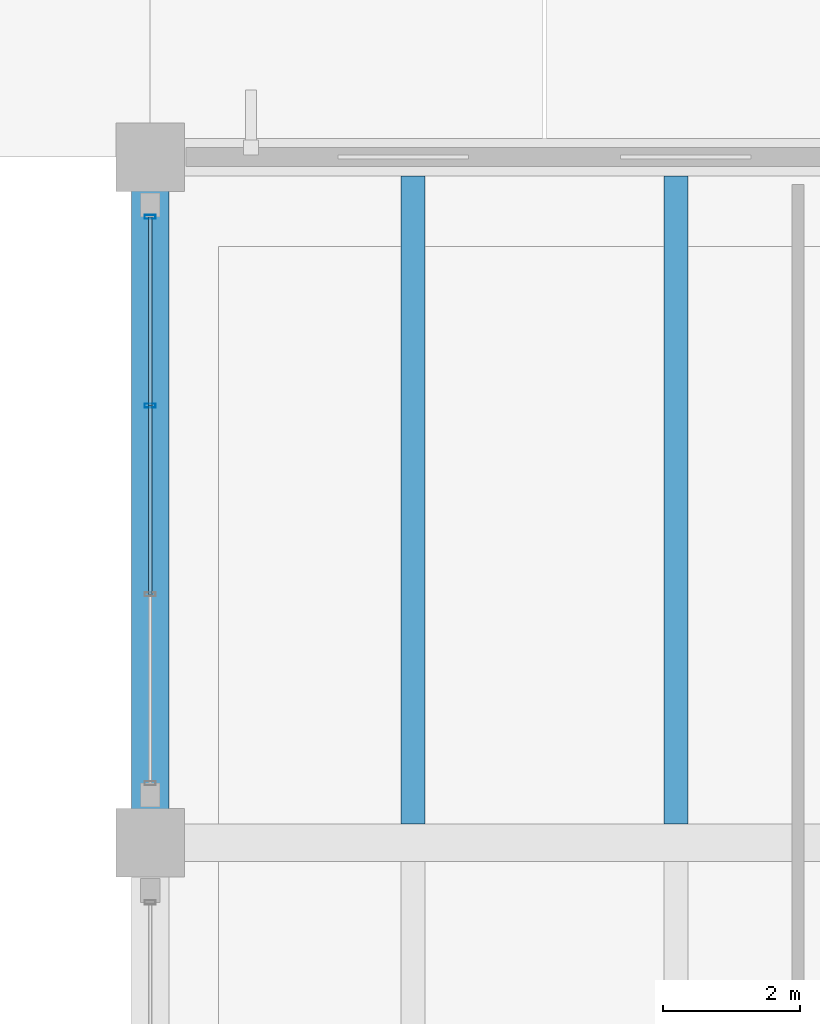
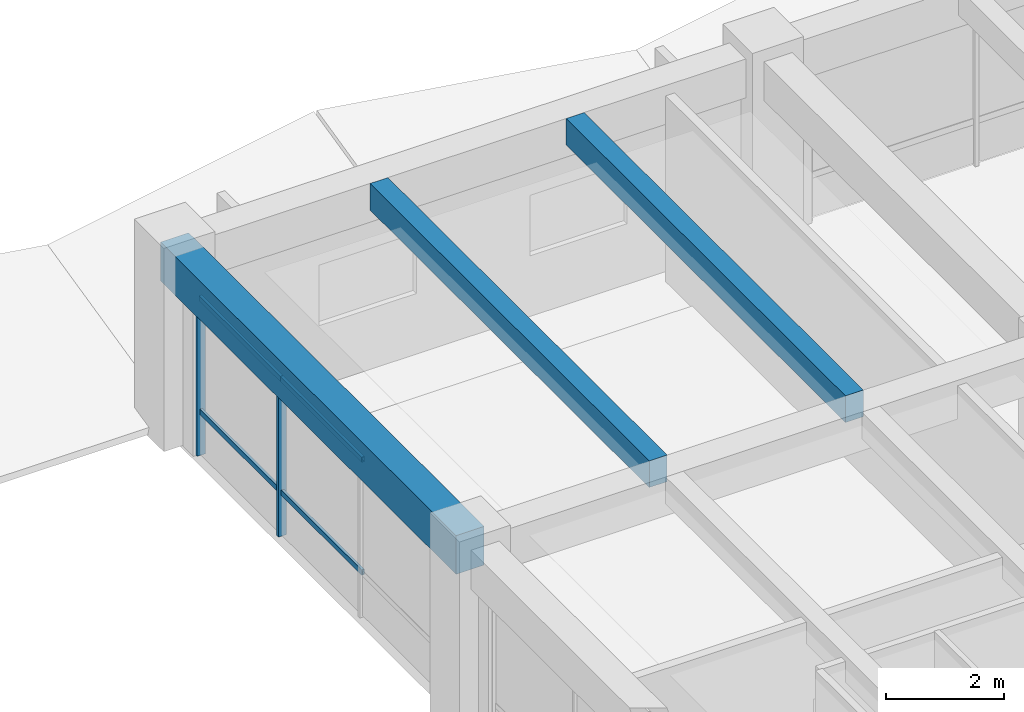
# One storey, part 42 of 98: 6 members, 3 beams, 1 element without a shape of its own.
"""IFC4 building model written with IfcOpenShell, lengths in metres."""

from ifc_helpers import new_model, si_unit, direction, frame, origin, origin_2d, place, context, subcontext, project, spatial, rectangle, hollow_rectangle, extrude, material, material_profile, profile_set, type_object, element, aggregate, save


model = new_model("IFC4")

# Units and contexts
model_context = context("Model", 3, precision=1e-05, world=origin(), true_north=direction((0.0, 1.0)))
body_context = subcontext(model_context, "Body", "Model", "MODEL_VIEW")
ifc_project = project(units=[si_unit("LENGTHUNIT", "METRE"), si_unit("AREAUNIT", "SQUARE_METRE"), si_unit("VOLUMEUNIT", "CUBIC_METRE"), si_unit("PLANEANGLEUNIT", "RADIAN"), si_unit("MASSUNIT", "GRAM", prefix="KILO")], contexts=[model_context])

# Site, building, storey
site_placement = place(None, origin())
site = spatial("IfcSite", under=ifc_project, at=site_placement, CompositionType="ELEMENT")
building_placement = place(site_placement, origin())
building = spatial("IfcBuilding", under=site, at=building_placement, Name="Ologun Quay Terminus", CompositionType="ELEMENT")
storey_placement = place(building_placement, frame((0.0, 0.0, 4.199951171875)))
storey = spatial("IfcBuildingStorey", under=building, at=storey_placement, Name="L01", CompositionType="ELEMENT", Elevation=4.199951171875)

# Curtain wall, members
ifc_material_1 = material(Name="Aluminium 6063-T6", Category="aluminium")
curtain_wall_type = type_object("IfcCurtainWallType", Name="Rain-Garden East Courtyard Curtain Wall L01 9200x3850", PredefinedType="USERDEFINED", material=ifc_material_1)
curtain_wall_placement = place(storey_placement, origin())
curtain_wall = element("IfcCurtainWall", 1, at=curtain_wall_placement, inside=storey, type_object=curtain_wall_type, Name="CW-18 Curtain Wall CW-L01-130", ObjectType="UNITISED CURTAIN WALL", PredefinedType="USERDEFINED")
ifc_material_2 = material(Name="Aluminium 6063-T6", Category="aluminium")
ifc_material_profile_1 = material_profile(ifc_material_2, hollow_rectangle(XDim=0.06005859375, YDim=0.159912109375, WallThickness=0.00390625, at=origin_2d()), Name="ALU 160x60x4")
ifc_profile_set_1 = profile_set([ifc_material_profile_1], Name="Aluminium 6063-T6")
member_type_1 = type_object("IfcMemberType", Name="Courtyard Screen Mullion 160x65", PredefinedType="MULLION", material=ifc_profile_set_1)
member_1_placement = place(storey_placement, frame((115.0, 111.1767578125, 0.0), z_axis=(0.0, 0.0, 1.0), x_axis=(0.0, 1.0, 0.0)))
member_1 = element("IfcMember", 2, at=member_1_placement, type_object=member_type_1, Name="CW-L01-130 Mullion 3", PredefinedType="MULLION", context=body_context, shape_type="SweptSolid", body=[
    extrude(hollow_rectangle(XDim=0.06005859375, YDim=0.159912109375, WallThickness=0.00390625, at=origin_2d()), origin(), (0.0, 0.0, 1.0), 3.929931640625),
])
member_2_placement = place(storey_placement, frame((115.0, 113.929931640625, 0.0), z_axis=(0.0, 0.0, 1.0), x_axis=(0.0, 1.0, 0.0)))
member_2 = element("IfcMember", 3, at=member_2_placement, type_object=member_type_1, Name="CW-L01-130 Mullion 4", PredefinedType="MULLION", context=body_context, shape_type="SweptSolid", body=[
    extrude(hollow_rectangle(XDim=0.06005859375, YDim=0.159912109375, WallThickness=0.00390625, at=origin_2d()), origin(), (0.0, 0.0, 1.0), 3.929931640625),
])
ifc_material_3 = material(Name="Aluminium 6063-T6", Category="aluminium")
ifc_material_profile_2 = material_profile(ifc_material_3, hollow_rectangle(XDim=0.054931640625, YDim=0.110107421875, WallThickness=0.00390625, at=origin_2d()), Name="ALU 110x55x4")
ifc_profile_set_2 = profile_set([ifc_material_profile_2], Name="Aluminium 6063-T6")
member_type_2 = type_object("IfcMemberType", Name="Courtyard Screen Transom 110x55", PredefinedType="USERDEFINED", material=ifc_profile_set_2)
member_3_placement = place(storey_placement, frame((115.0, 108.42333984375, 0.900146484375), z_axis=(0.0, 1.0, 0.0), x_axis=(-1.0, 0.0, 0.0)))
member_3 = element("IfcMember", 4, at=member_3_placement, type_object=member_type_2, Name="CW-L01-130 Transom B2-1", ObjectType="TRANSOM", PredefinedType="USERDEFINED", context=body_context, shape_type="SweptSolid", body=[
    extrude(hollow_rectangle(XDim=0.054931640625, YDim=0.110107421875, WallThickness=0.00390625, at=origin_2d()), origin(), (0.0, 0.0, 1.0), 2.75341796875),
])
member_4_placement = place(storey_placement, frame((115.0, 108.42333984375, 3.22998046875), z_axis=(0.0, 1.0, 0.0), x_axis=(-1.0, 0.0, 0.0)))
member_4 = element("IfcMember", 5, at=member_4_placement, type_object=member_type_2, Name="CW-L01-130 Transom B2-2", ObjectType="TRANSOM", PredefinedType="USERDEFINED", context=body_context, shape_type="SweptSolid", body=[
    extrude(hollow_rectangle(XDim=0.054931640625, YDim=0.110107421875, WallThickness=0.00390625, at=origin_2d()), origin(), (0.0, 0.0, 1.0), 2.75341796875),
])
member_5_placement = place(storey_placement, frame((115.0, 111.1767578125, 0.900146484375), z_axis=(0.0, 1.0, 0.0), x_axis=(-1.0, 0.0, 0.0)))
member_5 = element("IfcMember", 6, at=member_5_placement, type_object=member_type_2, Name="CW-L01-130 Transom B3-1", ObjectType="TRANSOM", PredefinedType="USERDEFINED", context=body_context, shape_type="SweptSolid", body=[
    extrude(hollow_rectangle(XDim=0.054931640625, YDim=0.110107421875, WallThickness=0.00390625, at=origin_2d()), origin(), (0.0, 0.0, 1.0), 2.753173828125),
])
member_6_placement = place(storey_placement, frame((115.0, 111.1767578125, 3.22998046875), z_axis=(0.0, 1.0, 0.0), x_axis=(-1.0, 0.0, 0.0)))
member_6 = element("IfcMember", 7, at=member_6_placement, type_object=member_type_2, Name="CW-L01-130 Transom B3-2", ObjectType="TRANSOM", PredefinedType="USERDEFINED", context=body_context, shape_type="SweptSolid", body=[
    extrude(hollow_rectangle(XDim=0.054931640625, YDim=0.110107421875, WallThickness=0.00390625, at=origin_2d()), origin(), (0.0, 0.0, 1.0), 2.753173828125),
])
aggregate(curtain_wall, [member_1, member_2, member_3, member_4, member_5, member_6])

# Beams
ifc_material_4 = material(Name="Concrete C40/50", Category="concrete")
ifc_material_profile_3 = material_profile(ifc_material_4, rectangle(XDim=0.550048828125, YDim=0.800048828125, at=origin_2d()), Name="RC 550x800")
ifc_profile_set_3 = profile_set([ifc_material_profile_3], Name="Concrete C40/50")
beam_type_1 = type_object("IfcBeamType", Name="Courtyard Wing Primary Girder 550x800", PredefinedType="BEAM", material=ifc_profile_set_3)
beam_placement = place(storey_placement, frame((115.0, 104.800048828125, 3.550048828125), z_axis=(0.0, 1.0, 0.0), x_axis=(-1.0, 0.0, 0.0)))
element("IfcBeam", 8, at=beam_placement, inside=storey, type_object=beam_type_1, Name="B4 Beam 11/J L01", PredefinedType="BEAM", context=body_context, shape_type="SweptSolid", body=[
    extrude(rectangle(XDim=0.550048828125, YDim=0.800048828125, at=origin_2d()), origin(), (0.0, 0.0, 1.0), 10.0),
])
ifc_material_5 = material(Name="Concrete C40/50", Category="concrete")
ifc_material_profile_4 = material_profile(ifc_material_5, rectangle(XDim=0.35009765625, YDim=0.550048828125, at=origin_2d()), Name="RC 350x550")
ifc_profile_set_4 = profile_set([ifc_material_profile_4], Name="Concrete C40/50")
beam_type_2 = type_object("IfcBeamType", Name="Courtyard Wing Secondary Joist 350x550", PredefinedType="JOIST", material=ifc_profile_set_4)
for number, where, z_axis, x_axis, name in (
    (9, (118.833251953125, 105.074951171875, 3.675048828125), (0.0, 1.0, 0.0), (-1.0, 0.0, 0.0), "J2 Beam 11/J L01"),
    (10, (122.666748046875, 105.074951171875, 3.675048828125), (0.0, 1.0, 0.0), (-1.0, 0.0, 0.0), "J2 Beam 11/J L01"),
):
    element("IfcBeam", number, at=place(storey_placement, frame(where, z_axis=z_axis, x_axis=x_axis)), inside=storey, type_object=beam_type_2, Name=name, PredefinedType="JOIST", context=body_context, shape_type="SweptSolid", body=[
        extrude(rectangle(XDim=0.35009765625, YDim=0.550048828125, at=origin_2d()), origin(), (0.0, 0.0, 1.0), 9.449951171875),
    ])

save(model, "model.ifc")
